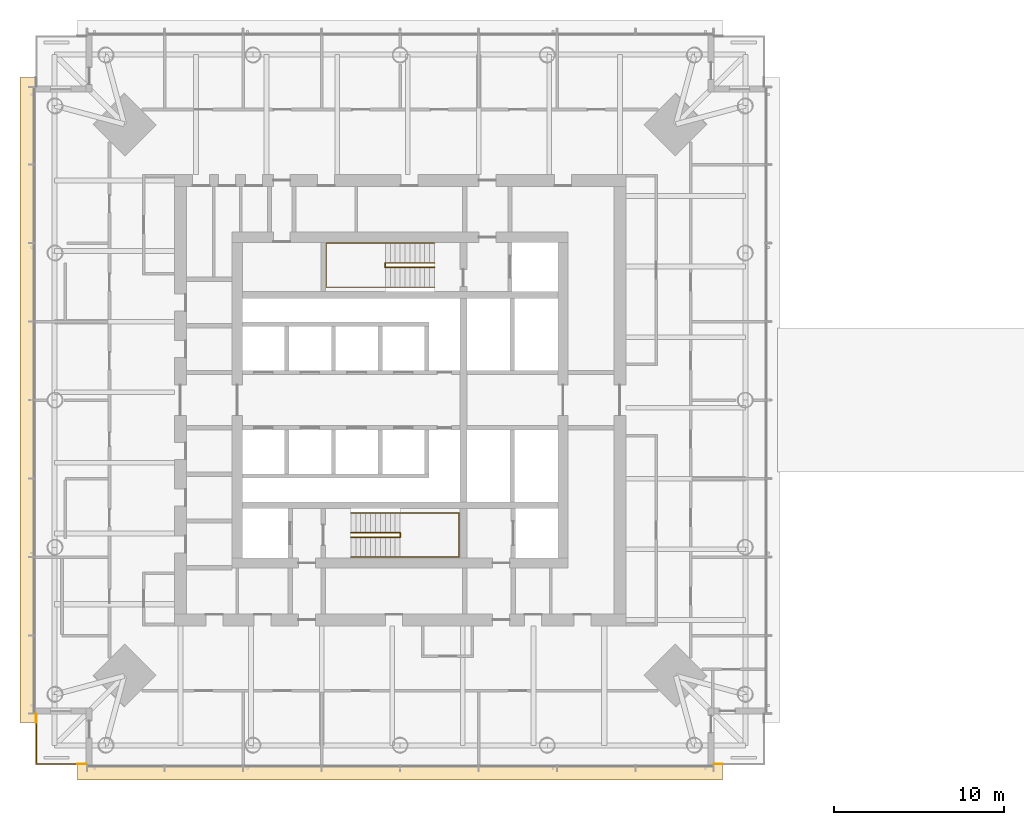
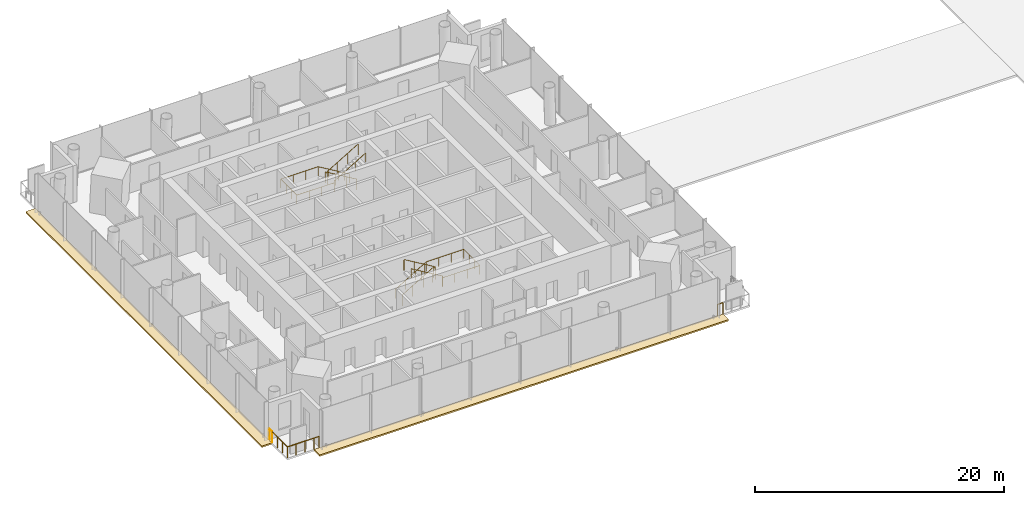
# One storey, part 14 of 16: 8 railings, 2 coverings.
"""IFC4 building model written with IfcOpenShell, lengths in metres."""

from ifc_helpers import new_model, si_unit, direction, frame, origin, origin_2d, place, context, subcontext, project, spatial, polyline, circle, outline, extrude, material, layer, layer_set, type_object, element, save


model = new_model("IFC4")

# Units and contexts
model_context = context("Model", 3, precision=1e-05, world=origin(), true_north=direction((0.0, 1.0)))
body_context = subcontext(model_context, "Body", "Model", "MODEL_VIEW")
ifc_project = project(units=[si_unit("LENGTHUNIT", "METRE"), si_unit("AREAUNIT", "SQUARE_METRE"), si_unit("VOLUMEUNIT", "CUBIC_METRE"), si_unit("PLANEANGLEUNIT", "RADIAN"), si_unit("MASSUNIT", "GRAM", prefix="KILO")], contexts=[model_context])

# Site, building, storey
site_placement = place(None, origin())
site = spatial("IfcSite", under=ifc_project, at=site_placement, CompositionType="ELEMENT")
building_placement = place(site_placement, origin())
building = spatial("IfcBuilding", under=site, at=building_placement, Name="Ostroluk Exchange", CompositionType="ELEMENT")
storey_placement = place(building_placement, frame((0.0, 0.0, 135.0)))
storey = spatial("IfcBuildingStorey", under=building, at=storey_placement, Name="L34", CompositionType="ELEMENT", Elevation=135.0)

# Railings
ifc_material_1 = material(Name="Stainless steel", Category="steel")
railing_type_1 = type_object("IfcRailingType", Name="Guard 1100 stainless steel", PredefinedType="GUARDRAIL", material=ifc_material_1)
railing_1_placement = place(storey_placement, frame((26.0, 24.550048828125, 0.0)))
element("IfcRailing", 1, at=railing_1_placement, inside=storey, type_object=railing_type_1, Name="Office tower SW balcony guard L34", PredefinedType="GUARDRAIL", context=body_context, shape_type="SweptSolid", body=[
    extrude(circle(Radius=0.02392578125, at=origin_2d()), frame((0.0, 0.0, 1.076171875), z_axis=(-1.0, 0.0, 0.0), x_axis=(0.0, -1.0, 0.0)), (0.0, 0.0, 1.0), 2.449951171875),
    extrude(circle(Radius=0.02392578125, at=origin_2d()), frame((-2.449951171875, 0.0, 1.076171875), z_axis=(0.0, 1.0, 0.0), x_axis=(-1.0, 0.0, 0.0)), (0.0, 0.0, 1.0), 2.449951171875),
    extrude(circle(Radius=0.02099609375, at=origin_2d()), origin(), (0.0, 0.0, 1.0), 1.052001953125),
    extrude(circle(Radius=0.02099609375, at=origin_2d()), frame((-0.816650390625, 0.0, 0.0)), (0.0, 0.0, 1.0), 1.052001953125),
    extrude(circle(Radius=0.02099609375, at=origin_2d()), frame((-1.63330078125, 0.0, 0.0)), (0.0, 0.0, 1.0), 1.052001953125),
    extrude(circle(Radius=0.02099609375, at=origin_2d()), frame((-2.449951171875, 0.0, 0.0)), (0.0, 0.0, 1.0), 1.052001953125),
    extrude(circle(Radius=0.02099609375, at=origin_2d()), frame((-2.449951171875, 0.816650390625, 0.0)), (0.0, 0.0, 1.0), 1.052001953125),
    extrude(circle(Radius=0.02099609375, at=origin_2d()), frame((-2.449951171875, 1.63330078125, 0.0)), (0.0, 0.0, 1.0), 1.052001953125),
    extrude(circle(Radius=0.02099609375, at=origin_2d()), frame((-2.449951171875, 2.449951171875, 0.0)), (0.0, 0.0, 1.0), 1.052001953125),
])
ifc_material_2 = material(Name="Stainless steel", Category="steel")
railing_type_2 = type_object("IfcRailingType", Name="Lockable maintenance gate 1100", PredefinedType="GUARDRAIL", material=ifc_material_2)
railing_2_placement = place(storey_placement, frame((63.5, 24.550048828125, 0.0)))
element("IfcRailing", 2, at=railing_2_placement, inside=storey, type_object=railing_type_2, Name="Lockable maintenance gate T1 L34 SE", PredefinedType="GUARDRAIL", context=body_context, shape_type="SweptSolid", body=[
    extrude(circle(Radius=0.02392578125, at=origin_2d()), frame((0.0, 0.0, 1.076171875), z_axis=(1.0, 0.0, 0.0), x_axis=(0.0, 1.0, 0.0)), (0.0, 0.0, 1.0), 0.5),
    extrude(circle(Radius=0.02099609375, at=origin_2d()), origin(), (0.0, 0.0, 1.0), 1.052001953125),
    extrude(circle(Radius=0.02099609375, at=origin_2d()), frame((0.5, 0.0, 0.0)), (0.0, 0.0, 1.0), 1.052001953125),
])
railing_3_placement = place(storey_placement, frame((26.5, 24.550048828125, 0.0)))
element("IfcRailing", 3, at=railing_3_placement, inside=storey, type_object=railing_type_2, Name="Lockable maintenance gate T1 L34 SW", PredefinedType="GUARDRAIL", context=body_context, shape_type="SweptSolid", body=[
    extrude(circle(Radius=0.02392578125, at=origin_2d()), frame((0.0, 0.0, 1.076171875), z_axis=(-1.0, 0.0, 0.0), x_axis=(0.0, -1.0, 0.0)), (0.0, 0.0, 1.0), 0.5),
    extrude(circle(Radius=0.02099609375, at=origin_2d()), origin(), (0.0, 0.0, 1.0), 1.052001953125),
    extrude(circle(Radius=0.02099609375, at=origin_2d()), frame((-0.5, 0.0, 0.0)), (0.0, 0.0, 1.0), 1.052001953125),
])
railing_4_placement = place(storey_placement, frame((23.550048828125, 27.0, 0.0)))
element("IfcRailing", 4, at=railing_4_placement, inside=storey, type_object=railing_type_2, Name="Lockable maintenance gate T1 L34 SW", PredefinedType="GUARDRAIL", context=body_context, shape_type="SweptSolid", body=[
    extrude(circle(Radius=0.02392578125, at=origin_2d()), frame((0.0, 0.0, 1.076171875), z_axis=(0.0, 1.0, 0.0), x_axis=(-1.0, 0.0, 0.0)), (0.0, 0.0, 1.0), 0.5),
    extrude(circle(Radius=0.02099609375, at=origin_2d()), origin(), (0.0, 0.0, 1.0), 1.052001953125),
    extrude(circle(Radius=0.02099609375, at=origin_2d()), frame((0.0, 0.5, 0.0)), (0.0, 0.0, 1.0), 1.052001953125),
])

# Coverings
ifc_material_3 = material(Name="Insulated steel roof deck with membrane, laid to falls, aluminium coping", Category="steel")
ifc_layer = layer(ifc_material_3, 0.14990234375)
ifc_layer_set = layer_set([ifc_layer], Name="Setback maintenance roof")
covering_type = type_object("IfcCoveringType", Name="Setback maintenance roof", PredefinedType="ROOFING", material=ifc_layer_set)
covering_1_placement = place(storey_placement, frame((0.0, 0.0, -0.14990234375)))
element("IfcCovering", 5, at=covering_1_placement, inside=storey, type_object=covering_type, Name="Maintenance roof, setback L34 south", PredefinedType="ROOFING", context=body_context, shape_type="SweptSolid", body=[
    extrude(outline(polyline([(26.0, 24.5), (64.0, 24.5), (64.0, 23.60009765625), (26.0, 23.60009765625), (26.0, 24.5)])), origin(), (0.0, 0.0, 1.0), 0.14990234375),
])
covering_2_placement = place(storey_placement, frame((0.0, 0.0, -0.14990234375)))
element("IfcCovering", 6, at=covering_2_placement, inside=storey, type_object=covering_type, Name="Maintenance roof, setback L34 west", PredefinedType="ROOFING", context=body_context, shape_type="SweptSolid", body=[
    extrude(outline(polyline([(22.60009765625, 65.0), (23.5, 65.0), (23.5, 27.0), (22.60009765625, 27.0), (22.60009765625, 65.0)])), origin(), (0.0, 0.0, 1.0), 0.14990234375),
])

# Railings
ifc_material_4 = material(Name="Steel S355", Category="steel")
railing_type_3 = type_object("IfcRailingType", Name="Stair guard 1100", PredefinedType="GUARDRAIL", material=ifc_material_4)
railing_5_placement = place(storey_placement, frame((42.10009765625, 38.179931640625, 0.172607421875)))
element("IfcRailing", 7, at=railing_5_placement, inside=storey, type_object=railing_type_3, Name="Stair T1-S1 guard L34", PredefinedType="GUARDRAIL", context=body_context, shape_type="SweptSolid", body=[
    extrude(circle(Radius=0.02392578125, at=origin_2d()), frame((0.0, 0.0, 1.076171875), z_axis=(0.859141464434, 0.0, 0.511738159696), x_axis=(0.0, 1.0, 0.0)), (0.0, 0.0, 1.0), 3.375244140625),
    extrude(circle(Radius=0.02392578125, at=origin_2d()), frame((2.89990234375, 0.0, 2.80322265625), z_axis=(0.0, -1.0, 0.0), x_axis=(1.0, 0.0, 0.0)), (0.0, 0.0, 1.0), 0.260009765625),
    extrude(circle(Radius=0.02392578125, at=origin_2d()), frame((2.89990234375, -0.260009765625, 2.80322265625), z_axis=(0.0, 0.0, 1.0), x_axis=(1.0, 0.0, 0.0)), (0.0, 0.0, 1.0), 0.1728515625),
    extrude(circle(Radius=0.02392578125, at=origin_2d()), frame((2.89990234375, -0.260009765625, 2.97607421875), z_axis=(-0.859141464434, 0.0, 0.511738159696), x_axis=(0.0, -1.0, 0.0)), (0.0, 0.0, 1.0), 3.375244140625),
    extrude(circle(Radius=0.02099609375, at=origin_2d()), origin(), (0.0, 0.0, 1.0), 1.052001953125),
    extrude(circle(Radius=0.02099609375, at=origin_2d()), frame((0.966552734375, 0.0, 0.57568359375)), (0.0, 0.0, 1.0), 1.052001953125),
    extrude(circle(Radius=0.02099609375, at=origin_2d()), frame((1.933349609375, 0.0, 1.151611328125)), (0.0, 0.0, 1.0), 1.052001953125),
    extrude(circle(Radius=0.02099609375, at=origin_2d()), frame((2.89990234375, 0.0, 1.727294921875)), (0.0, 0.0, 1.0), 1.052001953125),
    extrude(circle(Radius=0.02099609375, at=origin_2d()), frame((2.89990234375, -0.260009765625, 1.727294921875)), (0.0, 0.0, 1.0), 1.052001953125),
    extrude(circle(Radius=0.02099609375, at=origin_2d()), frame((2.89990234375, -0.260009765625, 1.900146484375)), (0.0, 0.0, 1.0), 1.052001953125),
    extrude(circle(Radius=0.02099609375, at=origin_2d()), frame((1.933349609375, -0.260009765625, 2.475830078125)), (0.0, 0.0, 1.0), 1.052001953125),
    extrude(circle(Radius=0.02099609375, at=origin_2d()), frame((0.966552734375, -0.260009765625, 3.0517578125)), (0.0, 0.0, 1.0), 1.052001953125),
    extrude(circle(Radius=0.02099609375, at=origin_2d()), frame((0.0, -0.260009765625, 3.62744140625)), (0.0, 0.0, 1.0), 1.052001953125),
])
railing_6_placement = place(storey_placement, frame((47.030029296875, 54.080078125, 0.172607421875)))
element("IfcRailing", 8, at=railing_6_placement, inside=storey, type_object=railing_type_3, Name="Stair T1-S2 guard L34", PredefinedType="GUARDRAIL", context=body_context, shape_type="SweptSolid", body=[
    extrude(circle(Radius=0.02392578125, at=origin_2d()), frame((0.0, 0.0, 1.076171875), z_axis=(-0.859160404282, 0.0, 0.51170636083), x_axis=(0.0, -1.0, 0.0)), (0.0, 0.0, 1.0), 3.37548828125),
    extrude(circle(Radius=0.02392578125, at=origin_2d()), frame((-2.900146484375, 0.0, 2.80322265625), z_axis=(0.0, -1.0, 0.0), x_axis=(1.0, 0.0, 0.0)), (0.0, 0.0, 1.0), 0.260009765625),
    extrude(circle(Radius=0.02392578125, at=origin_2d()), frame((-2.900146484375, -0.260009765625, 2.80322265625), z_axis=(0.0, 0.0, 1.0), x_axis=(1.0, 0.0, 0.0)), (0.0, 0.0, 1.0), 0.1728515625),
    extrude(circle(Radius=0.02392578125, at=origin_2d()), frame((-2.900146484375, -0.260009765625, 2.97607421875), z_axis=(0.859160404282, 0.0, 0.51170636083), x_axis=(0.0, 1.0, 0.0)), (0.0, 0.0, 1.0), 3.37548828125),
    extrude(circle(Radius=0.02099609375, at=origin_2d()), origin(), (0.0, 0.0, 1.0), 1.052001953125),
    extrude(circle(Radius=0.02099609375, at=origin_2d()), frame((-0.966796875, 0.0, 0.57568359375)), (0.0, 0.0, 1.0), 1.052001953125),
    extrude(circle(Radius=0.02099609375, at=origin_2d()), frame((-1.933349609375, 0.0, 1.151611328125)), (0.0, 0.0, 1.0), 1.052001953125),
    extrude(circle(Radius=0.02099609375, at=origin_2d()), frame((-2.900146484375, 0.0, 1.727294921875)), (0.0, 0.0, 1.0), 1.052001953125),
    extrude(circle(Radius=0.02099609375, at=origin_2d()), frame((-2.900146484375, -0.260009765625, 1.727294921875)), (0.0, 0.0, 1.0), 1.052001953125),
    extrude(circle(Radius=0.02099609375, at=origin_2d()), frame((-2.900146484375, -0.260009765625, 1.900146484375)), (0.0, 0.0, 1.0), 1.052001953125),
    extrude(circle(Radius=0.02099609375, at=origin_2d()), frame((-1.933349609375, -0.260009765625, 2.475830078125)), (0.0, 0.0, 1.0), 1.052001953125),
    extrude(circle(Radius=0.02099609375, at=origin_2d()), frame((-0.966796875, -0.260009765625, 3.0517578125)), (0.0, 0.0, 1.0), 1.052001953125),
    extrude(circle(Radius=0.02099609375, at=origin_2d()), frame((0.0, -0.260009765625, 3.62744140625)), (0.0, 0.0, 1.0), 1.052001953125),
])
ifc_material_5 = material(Name="Stainless steel", Category="steel")
railing_type_4 = type_object("IfcRailingType", Name="Stair handrail 900", PredefinedType="HANDRAIL", material=ifc_material_5)
railing_7_placement = place(storey_placement, frame((42.10009765625, 39.35009765625, 0.172607421875)))
element("IfcRailing", 9, at=railing_7_placement, inside=storey, type_object=railing_type_4, Name="Stair T1-S1 handrail L34", PredefinedType="HANDRAIL", context=body_context, shape_type="SweptSolid", body=[
    extrude(circle(Radius=0.02392578125, at=origin_2d()), frame((0.0, 0.0, 0.8759765625), z_axis=(0.859141464434, 0.0, 0.511738159696), x_axis=(0.0, 1.0, 0.0)), (0.0, 0.0, 1.0), 3.375244140625),
    extrude(circle(Radius=0.02392578125, at=origin_2d()), frame((2.89990234375, 0.0, 2.60302734375), z_axis=(1.0, 0.0, 0.0), x_axis=(0.0, 1.0, 0.0)), (0.0, 0.0, 1.0), 3.47998046875),
    extrude(circle(Radius=0.02392578125, at=origin_2d()), frame((6.3798828125, 0.0, 2.60302734375), z_axis=(0.0, -1.0, 0.0), x_axis=(1.0, 0.0, 0.0)), (0.0, 0.0, 1.0), 2.60009765625),
    extrude(circle(Radius=0.02392578125, at=origin_2d()), frame((6.3798828125, -2.60009765625, 2.60302734375), z_axis=(-1.0, 0.0, 0.0), x_axis=(0.0, -1.0, 0.0)), (0.0, 0.0, 1.0), 3.47998046875),
    extrude(circle(Radius=0.02392578125, at=origin_2d()), frame((2.89990234375, -2.60009765625, 2.60302734375), z_axis=(0.0, 0.0, 1.0), x_axis=(1.0, 0.0, 0.0)), (0.0, 0.0, 1.0), 0.1728515625),
    extrude(circle(Radius=0.02392578125, at=origin_2d()), frame((2.89990234375, -2.60009765625, 2.77587890625), z_axis=(-0.859141464434, 0.0, 0.511738159696), x_axis=(0.0, -1.0, 0.0)), (0.0, 0.0, 1.0), 3.375244140625),
    extrude(circle(Radius=0.02099609375, at=origin_2d()), origin(), (0.0, 0.0, 1.0), 0.851806640625),
    extrude(circle(Radius=0.02099609375, at=origin_2d()), frame((0.966552734375, 0.0, 0.57568359375)), (0.0, 0.0, 1.0), 0.851806640625),
    extrude(circle(Radius=0.02099609375, at=origin_2d()), frame((1.933349609375, 0.0, 1.151611328125)), (0.0, 0.0, 1.0), 0.851806640625),
    extrude(circle(Radius=0.02099609375, at=origin_2d()), frame((2.89990234375, 0.0, 1.727294921875)), (0.0, 0.0, 1.0), 0.851806640625),
    extrude(circle(Radius=0.02099609375, at=origin_2d()), frame((4.059814453125, 0.0, 1.727294921875)), (0.0, 0.0, 1.0), 0.851806640625),
    extrude(circle(Radius=0.02099609375, at=origin_2d()), frame((5.219970703125, 0.0, 1.727294921875)), (0.0, 0.0, 1.0), 0.851806640625),
    extrude(circle(Radius=0.02099609375, at=origin_2d()), frame((6.3798828125, 0.0, 1.727294921875)), (0.0, 0.0, 1.0), 0.851806640625),
    extrude(circle(Radius=0.02099609375, at=origin_2d()), frame((6.3798828125, -0.86669921875, 1.727294921875)), (0.0, 0.0, 1.0), 0.851806640625),
    extrude(circle(Radius=0.02099609375, at=origin_2d()), frame((6.3798828125, -1.7333984375, 1.727294921875)), (0.0, 0.0, 1.0), 0.851806640625),
    extrude(circle(Radius=0.02099609375, at=origin_2d()), frame((6.3798828125, -2.60009765625, 1.727294921875)), (0.0, 0.0, 1.0), 0.851806640625),
    extrude(circle(Radius=0.02099609375, at=origin_2d()), frame((5.219970703125, -2.60009765625, 1.727294921875)), (0.0, 0.0, 1.0), 0.851806640625),
    extrude(circle(Radius=0.02099609375, at=origin_2d()), frame((4.059814453125, -2.60009765625, 1.727294921875)), (0.0, 0.0, 1.0), 0.851806640625),
    extrude(circle(Radius=0.02099609375, at=origin_2d()), frame((2.89990234375, -2.60009765625, 1.727294921875)), (0.0, 0.0, 1.0), 0.851806640625),
    extrude(circle(Radius=0.02099609375, at=origin_2d()), frame((2.89990234375, -2.60009765625, 1.900146484375)), (0.0, 0.0, 1.0), 0.851806640625),
    extrude(circle(Radius=0.02099609375, at=origin_2d()), frame((1.933349609375, -2.60009765625, 2.475830078125)), (0.0, 0.0, 1.0), 0.851806640625),
    extrude(circle(Radius=0.02099609375, at=origin_2d()), frame((0.966552734375, -2.60009765625, 3.0517578125)), (0.0, 0.0, 1.0), 0.851806640625),
    extrude(circle(Radius=0.02099609375, at=origin_2d()), frame((0.0, -2.60009765625, 3.62744140625)), (0.0, 0.0, 1.0), 0.851806640625),
])
railing_8_placement = place(storey_placement, frame((47.030029296875, 55.25, 0.172607421875)))
element("IfcRailing", 10, at=railing_8_placement, inside=storey, type_object=railing_type_4, Name="Stair T1-S2 handrail L34", PredefinedType="HANDRAIL", context=body_context, shape_type="SweptSolid", body=[
    extrude(circle(Radius=0.02392578125, at=origin_2d()), frame((0.0, 0.0, 0.8759765625), z_axis=(-0.859160404282, 0.0, 0.51170636083), x_axis=(0.0, -1.0, 0.0)), (0.0, 0.0, 1.0), 3.37548828125),
    extrude(circle(Radius=0.02392578125, at=origin_2d()), frame((-2.900146484375, 0.0, 2.60302734375), z_axis=(-1.0, 0.0, 0.0), x_axis=(0.0, -1.0, 0.0)), (0.0, 0.0, 1.0), 3.47998046875),
    extrude(circle(Radius=0.02392578125, at=origin_2d()), frame((-6.380126953125, 0.0, 2.60302734375), z_axis=(0.0, -1.0, 0.0), x_axis=(1.0, 0.0, 0.0)), (0.0, 0.0, 1.0), 2.60009765625),
    extrude(circle(Radius=0.02392578125, at=origin_2d()), frame((-6.380126953125, -2.60009765625, 2.60302734375), z_axis=(1.0, 0.0, 0.0), x_axis=(0.0, 1.0, 0.0)), (0.0, 0.0, 1.0), 3.47998046875),
    extrude(circle(Radius=0.02392578125, at=origin_2d()), frame((-2.900146484375, -2.60009765625, 2.60302734375), z_axis=(0.0, 0.0, 1.0), x_axis=(1.0, 0.0, 0.0)), (0.0, 0.0, 1.0), 0.1728515625),
    extrude(circle(Radius=0.02392578125, at=origin_2d()), frame((-2.900146484375, -2.60009765625, 2.77587890625), z_axis=(0.859160404282, 0.0, 0.51170636083), x_axis=(0.0, 1.0, 0.0)), (0.0, 0.0, 1.0), 3.37548828125),
    extrude(circle(Radius=0.02099609375, at=origin_2d()), origin(), (0.0, 0.0, 1.0), 0.851806640625),
    extrude(circle(Radius=0.02099609375, at=origin_2d()), frame((-0.966796875, 0.0, 0.57568359375)), (0.0, 0.0, 1.0), 0.851806640625),
    extrude(circle(Radius=0.02099609375, at=origin_2d()), frame((-1.933349609375, 0.0, 1.151611328125)), (0.0, 0.0, 1.0), 0.851806640625),
    extrude(circle(Radius=0.02099609375, at=origin_2d()), frame((-2.900146484375, 0.0, 1.727294921875)), (0.0, 0.0, 1.0), 0.851806640625),
    extrude(circle(Radius=0.02099609375, at=origin_2d()), frame((-4.06005859375, 0.0, 1.727294921875)), (0.0, 0.0, 1.0), 0.851806640625),
    extrude(circle(Radius=0.02099609375, at=origin_2d()), frame((-5.22021484375, 0.0, 1.727294921875)), (0.0, 0.0, 1.0), 0.851806640625),
    extrude(circle(Radius=0.02099609375, at=origin_2d()), frame((-6.380126953125, 0.0, 1.727294921875)), (0.0, 0.0, 1.0), 0.851806640625),
    extrude(circle(Radius=0.02099609375, at=origin_2d()), frame((-6.380126953125, -0.86669921875, 1.727294921875)), (0.0, 0.0, 1.0), 0.851806640625),
    extrude(circle(Radius=0.02099609375, at=origin_2d()), frame((-6.380126953125, -1.7333984375, 1.727294921875)), (0.0, 0.0, 1.0), 0.851806640625),
    extrude(circle(Radius=0.02099609375, at=origin_2d()), frame((-6.380126953125, -2.60009765625, 1.727294921875)), (0.0, 0.0, 1.0), 0.851806640625),
    extrude(circle(Radius=0.02099609375, at=origin_2d()), frame((-5.22021484375, -2.60009765625, 1.727294921875)), (0.0, 0.0, 1.0), 0.851806640625),
    extrude(circle(Radius=0.02099609375, at=origin_2d()), frame((-4.06005859375, -2.60009765625, 1.727294921875)), (0.0, 0.0, 1.0), 0.851806640625),
    extrude(circle(Radius=0.02099609375, at=origin_2d()), frame((-2.900146484375, -2.60009765625, 1.727294921875)), (0.0, 0.0, 1.0), 0.851806640625),
    extrude(circle(Radius=0.02099609375, at=origin_2d()), frame((-2.900146484375, -2.60009765625, 1.900146484375)), (0.0, 0.0, 1.0), 0.851806640625),
    extrude(circle(Radius=0.02099609375, at=origin_2d()), frame((-1.933349609375, -2.60009765625, 2.475830078125)), (0.0, 0.0, 1.0), 0.851806640625),
    extrude(circle(Radius=0.02099609375, at=origin_2d()), frame((-0.966796875, -2.60009765625, 3.0517578125)), (0.0, 0.0, 1.0), 0.851806640625),
    extrude(circle(Radius=0.02099609375, at=origin_2d()), frame((0.0, -2.60009765625, 3.62744140625)), (0.0, 0.0, 1.0), 0.851806640625),
])

save(model, "model.ifc")
